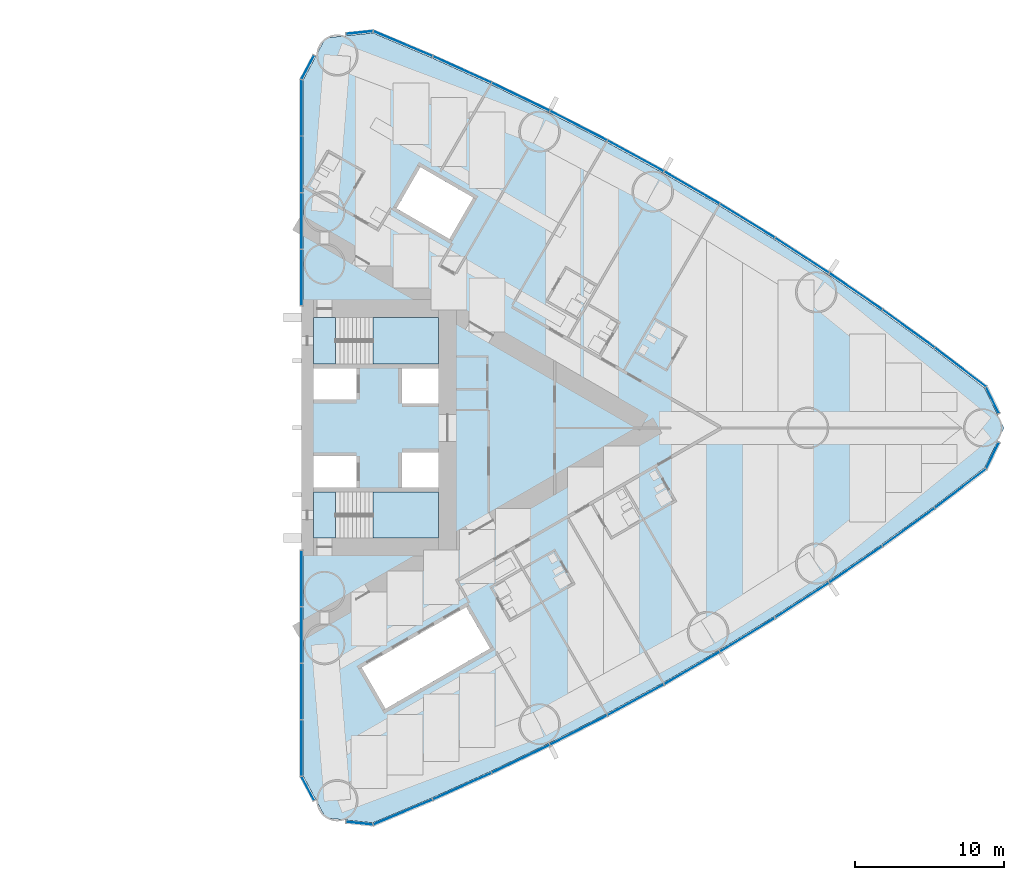
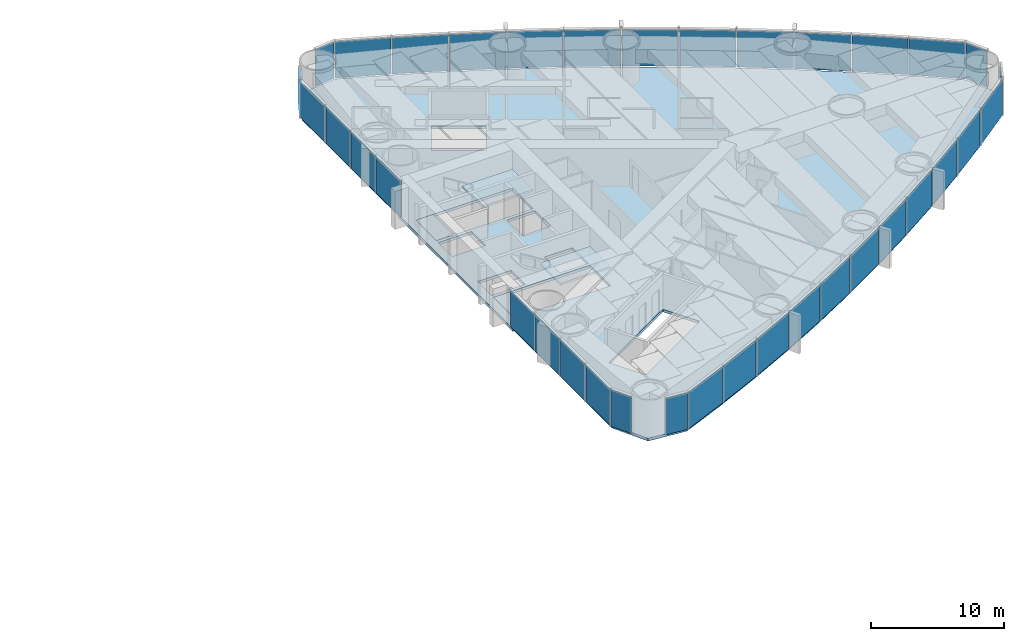
# One storey, part 10 of 19: 36 plates, 5 slabs, 6 elements without a shape of their own.
"""IFC4 building model written with IfcOpenShell, lengths in metres."""

from ifc_helpers import new_model, si_unit, direction, frame, origin, origin_2d, place, context, subcontext, project, spatial, polyline, rectangle, outline, extrude, material, layer, layer_set, type_object, element, aggregate, save


model = new_model("IFC4")

# Units and contexts
model_context = context("Model", 3, precision=1e-05, world=origin(), true_north=direction((0.0, 1.0)))
body_context = subcontext(model_context, "Body", "Model", "MODEL_VIEW")
ifc_project = project(units=[si_unit("LENGTHUNIT", "METRE"), si_unit("AREAUNIT", "SQUARE_METRE"), si_unit("VOLUMEUNIT", "CUBIC_METRE"), si_unit("PLANEANGLEUNIT", "RADIAN"), si_unit("MASSUNIT", "GRAM", prefix="KILO")], contexts=[model_context])

# Site, building, storey
site_placement = place(None, origin())
site = spatial("IfcSite", under=ifc_project, at=site_placement, CompositionType="ELEMENT")
building_placement = place(site_placement, origin())
building = spatial("IfcBuilding", under=site, at=building_placement, Name="Lancet Gate Hotel", CompositionType="ELEMENT")
storey_placement = place(building_placement, frame((0.0, 0.0, 32.0)))
storey = spatial("IfcBuildingStorey", under=building, at=storey_placement, Name="L07", CompositionType="ELEMENT", Elevation=32.0)

# Slab
ifc_material_1 = material(Name="Concrete C50/60", Category="concrete")
ifc_layer_1 = layer(ifc_material_1, 0.25)
ifc_layer_set_1 = layer_set([ifc_layer_1], Name="Floor slab 250")
slab_type_1 = type_object("IfcSlabType", Name="Floor slab 250", PredefinedType="FLOOR", material=ifc_layer_set_1)
slab_1_placement = place(storey_placement, frame((0.0, 0.0, -0.25)))
element("IfcSlab", 1, at=slab_1_placement, inside=storey, type_object=slab_type_1, Name="T2 L07 floor slab", PredefinedType="FLOOR", context=body_context, shape_type="SweptSolid", body=[
    extrude(outline(polyline([(27.5, -8.60009765625), (27.6201171875, -8.60009765625), (27.6201171875, -23.35498046875), (29.12158203125, -26.175537109375), (32.299072265625, -26.5048828125), (36.26708984375, -24.833740234375), (40.2177734375, -23.050048828125), (44.121826171875, -21.16650390625), (47.9765625, -19.18408203125), (51.77978515625, -17.104248046875), (55.528564453125, -14.92822265625), (59.220947265625, -12.657470703125), (62.854248046875, -10.29345703125), (66.42626953125, -7.837890625), (69.934814453125, -5.292236328125), (73.355712890625, -2.67431640625), (74.65576171875, 0.0), (73.355712890625, 2.67431640625), (69.934814453125, 5.292236328125), (66.42626953125, 7.837890625), (62.854248046875, 10.29345703125), (59.220947265625, 12.657470703125), (55.528564453125, 14.92822265625), (51.77978515625, 17.104248046875), (47.9765625, 19.18408203125), (44.121826171875, 21.16650390625), (40.2177734375, 23.050048828125), (36.26708984375, 24.833740234375), (32.299072265625, 26.5048828125), (29.12158203125, 26.175537109375), (27.6201171875, 23.35498046875), (27.6201171875, 8.60009765625), (27.5, 8.60009765625), (27.5, 8.199951171875), (27.5, -8.199951171875), (27.5, -8.60009765625)]), holes=[polyline([(36.699951171875, -7.39990234375), (36.699951171875, -4.300048828125), (28.300048828125, -4.300048828125), (28.300048828125, -7.39990234375), (36.699951171875, -7.39990234375)]), polyline([(28.300048828125, -4.0), (31.199951171875, -4.0), (31.199951171875, -1.89990234375), (28.300048828125, -1.89990234375), (28.300048828125, -4.0)]), polyline([(34.25, -4.0), (36.699951171875, -4.0), (36.699951171875, -1.64990234375), (34.25, -1.64990234375), (34.25, -4.0)]), polyline([(36.699951171875, 1.64990234375), (36.699951171875, 4.0), (34.25, 4.0), (34.25, 1.64990234375), (36.699951171875, 1.64990234375)]), polyline([(28.300048828125, 1.89990234375), (31.199951171875, 1.89990234375), (31.199951171875, 4.0), (28.300048828125, 4.0), (28.300048828125, 1.89990234375)]), polyline([(28.300048828125, 4.300048828125), (36.699951171875, 4.300048828125), (36.699951171875, 7.39990234375), (28.300048828125, 7.39990234375), (28.300048828125, 4.300048828125)]), polyline([(31.549072265625, -16.0810546875), (33.14892578125, -18.85205078125), (40.1640625, -14.802001953125), (38.56396484375, -12.031005859375), (31.549072265625, -16.0810546875)]), polyline([(33.887939453125, 14.73095703125), (37.43798828125, 12.680908203125), (39.0380859375, 15.451904296875), (35.488037109375, 17.501953125), (33.887939453125, 14.73095703125)])]), origin(), (0.0, 0.0, 1.0), 0.25),
])

# Stair, slabs
ifc_material_2 = material(Name="Exit stair 20 risers 1500")
stair_type = type_object("IfcStairType", Name="Exit stair 20 risers 1500", PredefinedType="HALF_TURN_STAIR", material=ifc_material_2)
stair_1_placement = place(storey_placement, origin())
stair_1 = element("IfcStair", 2, at=stair_1_placement, inside=storey, type_object=stair_type, Name="T2 stair 1 L07", PredefinedType="HALF_TURN_STAIR")
ifc_material_3 = material(Name="Concrete C40/50", Category="concrete")
ifc_layer_2 = layer(ifc_material_3, 0.199951171875)
ifc_layer_set_2 = layer_set([ifc_layer_2], Name="Stair landing 200")
slab_type_2 = type_object("IfcSlabType", Name="Stair landing 200", PredefinedType="LANDING", material=ifc_layer_set_2)
slab_2_placement = place(storey_placement, frame((0.0, 0.0, -0.199951171875)))
slab_2 = element("IfcSlab", 3, at=slab_2_placement, type_object=slab_type_2, Name="ST3 landing 1", PredefinedType="LANDING", context=body_context, shape_type="SweptSolid", body=[
    extrude(outline(polyline([(28.300048828125, -7.39990234375), (29.800048828125, -7.39990234375), (29.800048828125, -4.300048828125), (28.300048828125, -4.300048828125), (28.300048828125, -7.39990234375)])), origin(), (0.0, 0.0, 1.0), 0.199951171875),
])
slab_3_placement = place(storey_placement, frame((0.0, 0.0, 1.550048828125)))
slab_3 = element("IfcSlab", 4, at=slab_3_placement, type_object=slab_type_2, Name="ST3 landing 2", PredefinedType="LANDING", context=body_context, shape_type="SweptSolid", body=[
    extrude(outline(polyline([(32.320068359375, -7.39990234375), (36.699951171875, -7.39990234375), (36.699951171875, -4.300048828125), (32.320068359375, -4.300048828125), (32.320068359375, -7.39990234375)])), origin(), (0.0, 0.0, 1.0), 0.199951171875),
])
aggregate(stair_1, [slab_2, slab_3])

stair_2_placement = place(storey_placement, origin())
stair_2 = element("IfcStair", 5, at=stair_2_placement, inside=storey, type_object=stair_type, Name="T2 stair 2 L07", PredefinedType="HALF_TURN_STAIR")
slab_4_placement = place(storey_placement, frame((0.0, 0.0, -0.199951171875)))
slab_4 = element("IfcSlab", 6, at=slab_4_placement, type_object=slab_type_2, Name="ST4 landing 1", PredefinedType="LANDING", context=body_context, shape_type="SweptSolid", body=[
    extrude(outline(polyline([(28.300048828125, 4.300048828125), (29.800048828125, 4.300048828125), (29.800048828125, 7.39990234375), (28.300048828125, 7.39990234375), (28.300048828125, 4.300048828125)])), origin(), (0.0, 0.0, 1.0), 0.199951171875),
])
slab_5_placement = place(storey_placement, frame((0.0, 0.0, 1.550048828125)))
slab_5 = element("IfcSlab", 7, at=slab_5_placement, type_object=slab_type_2, Name="ST4 landing 2", PredefinedType="LANDING", context=body_context, shape_type="SweptSolid", body=[
    extrude(outline(polyline([(32.320068359375, 4.300048828125), (36.699951171875, 4.300048828125), (36.699951171875, 7.39990234375), (32.320068359375, 7.39990234375), (32.320068359375, 4.300048828125)])), origin(), (0.0, 0.0, 1.0), 0.199951171875),
])
aggregate(stair_2, [slab_4, slab_5])

# Curtain wall, plates
ifc_material_4 = material(Name="Aluminium curtain wall", Category="aluminium")
curtain_wall_type = type_object("IfcCurtainWallType", Name="Tower unitised curtain wall", PredefinedType="USERDEFINED", material=ifc_material_4)
curtain_wall_1_placement = place(storey_placement, origin())
curtain_wall_1 = element("IfcCurtainWall", 8, at=curtain_wall_1_placement, inside=storey, type_object=curtain_wall_type, Name="T2 L07 curtain wall 1", ObjectType="UNITISED CURTAIN WALL", PredefinedType="USERDEFINED")
ifc_material_5 = material(Name="Glass double glazed unit 8-16-6", Category="glass")
ifc_layer_3 = layer(ifc_material_5, 0.030029296875)
ifc_layer_set_3 = layer_set([ifc_layer_3], Name="Vision panel double glazed")
plate_type = type_object("IfcPlateType", Name="Vision panel double glazed", PredefinedType="CURTAIN_PANEL", material=ifc_layer_set_3)
plate_1_placement = place(storey_placement, frame((27.5, -10.09814453125, 0.0), z_axis=(0.0, 0.0, 1.0), x_axis=(0.0, -1.0, 0.0)))
plate_1 = element("IfcPlate", 9, at=plate_1_placement, type_object=plate_type, Name="T2 L07 curtain wall 1 panel 1", PredefinedType="CURTAIN_PANEL", context=body_context, shape_type="SweptSolid", body=[
    extrude(rectangle(XDim=3.731201171875, YDim=0.030029296875, at=origin_2d()), origin(), (0.0, 0.0, 1.0), 3.35009765625),
])
plate_2_placement = place(storey_placement, frame((27.5, -13.894287109375, 0.0), z_axis=(0.0, 0.0, 1.0), x_axis=(0.0, -1.0, 0.0)))
plate_2 = element("IfcPlate", 10, at=plate_2_placement, type_object=plate_type, Name="T2 L07 curtain wall 1 panel 2", PredefinedType="CURTAIN_PANEL", context=body_context, shape_type="SweptSolid", body=[
    extrude(rectangle(XDim=3.731201171875, YDim=0.030029296875, at=origin_2d()), origin(), (0.0, 0.0, 1.0), 3.35009765625),
])
plate_3_placement = place(storey_placement, frame((27.5, -17.6904296875, 0.0), z_axis=(0.0, 0.0, 1.0), x_axis=(0.0, -1.0, 0.0)))
plate_3 = element("IfcPlate", 11, at=plate_3_placement, type_object=plate_type, Name="T2 L07 curtain wall 1 panel 3", PredefinedType="CURTAIN_PANEL", context=body_context, shape_type="SweptSolid", body=[
    extrude(rectangle(XDim=3.731201171875, YDim=0.030029296875, at=origin_2d()), origin(), (0.0, 0.0, 1.0), 3.35009765625),
])
plate_4_placement = place(storey_placement, frame((27.5, -21.48681640625, 0.0), z_axis=(0.0, 0.0, 1.0), x_axis=(0.0, -1.0, 0.0)))
plate_4 = element("IfcPlate", 12, at=plate_4_placement, type_object=plate_type, Name="T2 L07 curtain wall 1 panel 4", PredefinedType="CURTAIN_PANEL", context=body_context, shape_type="SweptSolid", body=[
    extrude(rectangle(XDim=3.731201171875, YDim=0.030029296875, at=origin_2d()), origin(), (0.0, 0.0, 1.0), 3.35009765625),
])
plate_5_placement = place(storey_placement, frame((27.933349609375, -24.19873046875, 0.0), z_axis=(0.0, 0.0, 1.0), x_axis=(0.469897827284, -0.882720811987, 0.0)))
plate_5 = element("IfcPlate", 13, at=plate_5_placement, type_object=plate_type, Name="T2 L07 curtain wall 1 panel 5", PredefinedType="CURTAIN_PANEL", context=body_context, shape_type="SweptSolid", body=[
    extrude(rectangle(XDim=1.779052734375, YDim=0.030029296875, at=origin_2d()), origin(), (0.0, 0.0, 1.0), 3.35009765625),
])
aggregate(curtain_wall_1, [plate_1, plate_2, plate_3, plate_4, plate_5])

curtain_wall_2_placement = place(storey_placement, origin())
curtain_wall_2 = element("IfcCurtainWall", 14, at=curtain_wall_2_placement, inside=storey, type_object=curtain_wall_type, Name="T2 L07 curtain wall 2", ObjectType="UNITISED CURTAIN WALL", PredefinedType="USERDEFINED")
plate_6_placement = place(storey_placement, frame((31.400634765625, -26.532470703125, 0.0), z_axis=(0.0, 0.0, 1.0), x_axis=(0.994672262412, -0.10308778001, 0.0)))
plate_6 = element("IfcPlate", 15, at=plate_6_placement, type_object=plate_type, Name="T2 L07 curtain wall 2 panel 1", PredefinedType="CURTAIN_PANEL", context=body_context, shape_type="SweptSolid", body=[
    extrude(rectangle(XDim=1.7783203125, YDim=0.030029296875, at=origin_2d()), origin(), (0.0, 0.0, 1.0), 3.35009765625),
])
plate_7_placement = place(storey_placement, frame((34.316162109375, -25.78564453125, 0.0), z_axis=(0.0, 0.0, 1.0), x_axis=(0.92159330598, 0.38815689917, 0.0)))
plate_7 = element("IfcPlate", 16, at=plate_7_placement, type_object=plate_type, Name="T2 L07 curtain wall 2 panel 2", PredefinedType="CURTAIN_PANEL", context=body_context, shape_type="SweptSolid", body=[
    extrude(rectangle(XDim=4.272705078125, YDim=0.030029296875, at=origin_2d()), origin(), (0.0, 0.0, 1.0), 3.35009765625),
])
plate_8_placement = place(storey_placement, frame((38.291748046875, -24.05126953125, 0.0), z_axis=(0.0, 0.0, 1.0), x_axis=(0.911415640556, 0.41148697446, 0.0)))
plate_8 = element("IfcPlate", 17, at=plate_8_placement, type_object=plate_type, Name="T2 L07 curtain wall 2 panel 3", PredefinedType="CURTAIN_PANEL", context=body_context, shape_type="SweptSolid", body=[
    extrude(rectangle(XDim=4.272705078125, YDim=0.030029296875, at=origin_2d()), origin(), (0.0, 0.0, 1.0), 3.35009765625),
])
plate_9_placement = place(storey_placement, frame((42.221923828125, -22.21630859375, 0.0), z_axis=(0.0, 0.0, 1.0), x_axis=(0.90064748964, 0.434550456686, 0.0)))
plate_9 = element("IfcPlate", 18, at=plate_9_placement, type_object=plate_type, Name="T2 L07 curtain wall 2 panel 4", PredefinedType="CURTAIN_PANEL", context=body_context, shape_type="SweptSolid", body=[
    extrude(rectangle(XDim=4.272705078125, YDim=0.030029296875, at=origin_2d()), origin(), (0.0, 0.0, 1.0), 3.35009765625),
])
plate_10_placement = place(storey_placement, frame((46.10400390625, -20.281982421875, 0.0), z_axis=(0.0, 0.0, 1.0), x_axis=(0.889295829671, 0.457332403541, 0.0)))
plate_10 = element("IfcPlate", 19, at=plate_10_placement, type_object=plate_type, Name="T2 L07 curtain wall 2 panel 5", PredefinedType="CURTAIN_PANEL", context=body_context, shape_type="SweptSolid", body=[
    extrude(rectangle(XDim=4.272705078125, YDim=0.030029296875, at=origin_2d()), origin(), (0.0, 0.0, 1.0), 3.35009765625),
])
plate_11_placement = place(storey_placement, frame((49.935791015625, -18.249267578125, 0.0), z_axis=(0.0, 0.0, 1.0), x_axis=(0.877368015134, 0.47981805512, 0.0)))
plate_11 = element("IfcPlate", 20, at=plate_11_placement, type_object=plate_type, Name="T2 L07 curtain wall 2 panel 6", PredefinedType="CURTAIN_PANEL", context=body_context, shape_type="SweptSolid", body=[
    extrude(rectangle(XDim=4.272705078125, YDim=0.030029296875, at=origin_2d()), origin(), (0.0, 0.0, 1.0), 3.35009765625),
])
plate_12_placement = place(storey_placement, frame((53.71435546875, -16.119873046875, 0.0), z_axis=(0.0, 0.0, 1.0), x_axis=(0.864871773788, 0.501992843479, 0.0)))
plate_12 = element("IfcPlate", 21, at=plate_12_placement, type_object=plate_type, Name="T2 L07 curtain wall 2 panel 7", PredefinedType="CURTAIN_PANEL", context=body_context, shape_type="SweptSolid", body=[
    extrude(rectangle(XDim=4.272705078125, YDim=0.030029296875, at=origin_2d()), origin(), (0.0, 0.0, 1.0), 3.35009765625),
])
plate_13_placement = place(storey_placement, frame((57.437744140625, -13.89501953125, 0.0), z_axis=(0.0, 0.0, 1.0), x_axis=(0.851815201664, 0.523842402077, 0.0)))
plate_13 = element("IfcPlate", 22, at=plate_13_placement, type_object=plate_type, Name="T2 L07 curtain wall 2 panel 8", PredefinedType="CURTAIN_PANEL", context=body_context, shape_type="SweptSolid", body=[
    extrude(rectangle(XDim=4.272705078125, YDim=0.030029296875, at=origin_2d()), origin(), (0.0, 0.0, 1.0), 3.35009765625),
])
plate_14_placement = place(storey_placement, frame((61.10302734375, -11.576171875, 0.0), z_axis=(0.0, 0.0, 1.0), x_axis=(0.838206757819, 0.54535257508, 0.0)))
plate_14 = element("IfcPlate", 23, at=plate_14_placement, type_object=plate_type, Name="T2 L07 curtain wall 2 panel 9", PredefinedType="CURTAIN_PANEL", context=body_context, shape_type="SweptSolid", body=[
    extrude(rectangle(XDim=4.272705078125, YDim=0.030029296875, at=origin_2d()), origin(), (0.0, 0.0, 1.0), 3.35009765625),
])
plate_15_placement = place(storey_placement, frame((64.708251953125, -9.16455078125, 0.0), z_axis=(0.0, 0.0, 1.0), x_axis=(0.824055258853, 0.566509426538, 0.0)))
plate_15 = element("IfcPlate", 24, at=plate_15_placement, type_object=plate_type, Name="T2 L07 curtain wall 2 panel 10", PredefinedType="CURTAIN_PANEL", context=body_context, shape_type="SweptSolid", body=[
    extrude(rectangle(XDim=4.272705078125, YDim=0.030029296875, at=origin_2d()), origin(), (0.0, 0.0, 1.0), 3.35009765625),
])
plate_16_placement = place(storey_placement, frame((68.2509765625, -6.662109375, 0.0), z_axis=(0.0, 0.0, 1.0), x_axis=(0.809369873203, 0.587299249405, 0.0)))
plate_16 = element("IfcPlate", 25, at=plate_16_placement, type_object=plate_type, Name="T2 L07 curtain wall 2 panel 11", PredefinedType="CURTAIN_PANEL", context=body_context, shape_type="SweptSolid", body=[
    extrude(rectangle(XDim=4.272705078125, YDim=0.030029296875, at=origin_2d()), origin(), (0.0, 0.0, 1.0), 3.35009765625),
])
plate_17_placement = place(storey_placement, frame((71.72900390625, -4.0703125, 0.0), z_axis=(0.0, 0.0, 1.0), x_axis=(0.794160115195, 0.607708574428, 0.0)))
plate_17 = element("IfcPlate", 26, at=plate_17_placement, type_object=plate_type, Name="T2 L07 curtain wall 2 panel 12", PredefinedType="CURTAIN_PANEL", context=body_context, shape_type="SweptSolid", body=[
    extrude(rectangle(XDim=4.272705078125, YDim=0.030029296875, at=origin_2d()), origin(), (0.0, 0.0, 1.0), 3.35009765625),
])
plate_18_placement = place(storey_placement, frame((73.88671875, -1.856201171875, 0.0), z_axis=(0.0, 0.0, 1.0), x_axis=(0.437169070119, 0.899379343843, 0.0)))
plate_18 = element("IfcPlate", 27, at=plate_18_placement, type_object=plate_type, Name="T2 L07 curtain wall 2 panel 13", PredefinedType="CURTAIN_PANEL", context=body_context, shape_type="SweptSolid", body=[
    extrude(rectangle(XDim=1.92724609375, YDim=0.030029296875, at=origin_2d()), origin(), (0.0, 0.0, 1.0), 3.35009765625),
])
aggregate(curtain_wall_2, [plate_6, plate_7, plate_8, plate_9, plate_10, plate_11, plate_12, plate_13, plate_14, plate_15, plate_16, plate_17, plate_18])

curtain_wall_3_placement = place(storey_placement, origin())
curtain_wall_3 = element("IfcCurtainWall", 28, at=curtain_wall_3_placement, inside=storey, type_object=curtain_wall_type, Name="T2 L07 curtain wall 3", ObjectType="UNITISED CURTAIN WALL", PredefinedType="USERDEFINED")
plate_19_placement = place(storey_placement, frame((73.88671875, 1.856201171875, 0.0), z_axis=(0.0, 0.0, 1.0), x_axis=(-0.437169070119, 0.899379343843, 0.0)))
plate_19 = element("IfcPlate", 29, at=plate_19_placement, type_object=plate_type, Name="T2 L07 curtain wall 3 panel 1", PredefinedType="CURTAIN_PANEL", context=body_context, shape_type="SweptSolid", body=[
    extrude(rectangle(XDim=1.92724609375, YDim=0.030029296875, at=origin_2d()), origin(), (0.0, 0.0, 1.0), 3.35009765625),
])
plate_20_placement = place(storey_placement, frame((71.72900390625, 4.0703125, 0.0), z_axis=(0.0, 0.0, 1.0), x_axis=(-0.794160115195, 0.607708574428, 0.0)))
plate_20 = element("IfcPlate", 30, at=plate_20_placement, type_object=plate_type, Name="T2 L07 curtain wall 3 panel 2", PredefinedType="CURTAIN_PANEL", context=body_context, shape_type="SweptSolid", body=[
    extrude(rectangle(XDim=4.272705078125, YDim=0.030029296875, at=origin_2d()), origin(), (0.0, 0.0, 1.0), 3.35009765625),
])
plate_21_placement = place(storey_placement, frame((68.2509765625, 6.662109375, 0.0), z_axis=(0.0, 0.0, 1.0), x_axis=(-0.809369873203, 0.587299249405, 0.0)))
plate_21 = element("IfcPlate", 31, at=plate_21_placement, type_object=plate_type, Name="T2 L07 curtain wall 3 panel 3", PredefinedType="CURTAIN_PANEL", context=body_context, shape_type="SweptSolid", body=[
    extrude(rectangle(XDim=4.272705078125, YDim=0.030029296875, at=origin_2d()), origin(), (0.0, 0.0, 1.0), 3.35009765625),
])
plate_22_placement = place(storey_placement, frame((64.708251953125, 9.16455078125, 0.0), z_axis=(0.0, 0.0, 1.0), x_axis=(-0.824055258853, 0.566509426538, 0.0)))
plate_22 = element("IfcPlate", 32, at=plate_22_placement, type_object=plate_type, Name="T2 L07 curtain wall 3 panel 4", PredefinedType="CURTAIN_PANEL", context=body_context, shape_type="SweptSolid", body=[
    extrude(rectangle(XDim=4.272705078125, YDim=0.030029296875, at=origin_2d()), origin(), (0.0, 0.0, 1.0), 3.35009765625),
])
plate_23_placement = place(storey_placement, frame((61.10302734375, 11.576171875, 0.0), z_axis=(0.0, 0.0, 1.0), x_axis=(-0.838206757819, 0.54535257508, 0.0)))
plate_23 = element("IfcPlate", 33, at=plate_23_placement, type_object=plate_type, Name="T2 L07 curtain wall 3 panel 5", PredefinedType="CURTAIN_PANEL", context=body_context, shape_type="SweptSolid", body=[
    extrude(rectangle(XDim=4.272705078125, YDim=0.030029296875, at=origin_2d()), origin(), (0.0, 0.0, 1.0), 3.35009765625),
])
plate_24_placement = place(storey_placement, frame((57.437744140625, 13.89501953125, 0.0), z_axis=(0.0, 0.0, 1.0), x_axis=(-0.851815201664, 0.523842402077, 0.0)))
plate_24 = element("IfcPlate", 34, at=plate_24_placement, type_object=plate_type, Name="T2 L07 curtain wall 3 panel 6", PredefinedType="CURTAIN_PANEL", context=body_context, shape_type="SweptSolid", body=[
    extrude(rectangle(XDim=4.272705078125, YDim=0.030029296875, at=origin_2d()), origin(), (0.0, 0.0, 1.0), 3.35009765625),
])
plate_25_placement = place(storey_placement, frame((53.71435546875, 16.119873046875, 0.0), z_axis=(0.0, 0.0, 1.0), x_axis=(-0.864871773788, 0.501992843479, 0.0)))
plate_25 = element("IfcPlate", 35, at=plate_25_placement, type_object=plate_type, Name="T2 L07 curtain wall 3 panel 7", PredefinedType="CURTAIN_PANEL", context=body_context, shape_type="SweptSolid", body=[
    extrude(rectangle(XDim=4.272705078125, YDim=0.030029296875, at=origin_2d()), origin(), (0.0, 0.0, 1.0), 3.35009765625),
])
plate_26_placement = place(storey_placement, frame((49.935791015625, 18.249267578125, 0.0), z_axis=(0.0, 0.0, 1.0), x_axis=(-0.877368015134, 0.47981805512, 0.0)))
plate_26 = element("IfcPlate", 36, at=plate_26_placement, type_object=plate_type, Name="T2 L07 curtain wall 3 panel 8", PredefinedType="CURTAIN_PANEL", context=body_context, shape_type="SweptSolid", body=[
    extrude(rectangle(XDim=4.272705078125, YDim=0.030029296875, at=origin_2d()), origin(), (0.0, 0.0, 1.0), 3.35009765625),
])
plate_27_placement = place(storey_placement, frame((46.10400390625, 20.281982421875, 0.0), z_axis=(0.0, 0.0, 1.0), x_axis=(-0.889295829671, 0.457332403541, 0.0)))
plate_27 = element("IfcPlate", 37, at=plate_27_placement, type_object=plate_type, Name="T2 L07 curtain wall 3 panel 9", PredefinedType="CURTAIN_PANEL", context=body_context, shape_type="SweptSolid", body=[
    extrude(rectangle(XDim=4.272705078125, YDim=0.030029296875, at=origin_2d()), origin(), (0.0, 0.0, 1.0), 3.35009765625),
])
plate_28_placement = place(storey_placement, frame((42.221923828125, 22.21630859375, 0.0), z_axis=(0.0, 0.0, 1.0), x_axis=(-0.90064748964, 0.434550456686, 0.0)))
plate_28 = element("IfcPlate", 38, at=plate_28_placement, type_object=plate_type, Name="T2 L07 curtain wall 3 panel 10", PredefinedType="CURTAIN_PANEL", context=body_context, shape_type="SweptSolid", body=[
    extrude(rectangle(XDim=4.272705078125, YDim=0.030029296875, at=origin_2d()), origin(), (0.0, 0.0, 1.0), 3.35009765625),
])
plate_29_placement = place(storey_placement, frame((38.291748046875, 24.05126953125, 0.0), z_axis=(0.0, 0.0, 1.0), x_axis=(-0.911415640556, 0.41148697446, 0.0)))
plate_29 = element("IfcPlate", 39, at=plate_29_placement, type_object=plate_type, Name="T2 L07 curtain wall 3 panel 11", PredefinedType="CURTAIN_PANEL", context=body_context, shape_type="SweptSolid", body=[
    extrude(rectangle(XDim=4.272705078125, YDim=0.030029296875, at=origin_2d()), origin(), (0.0, 0.0, 1.0), 3.35009765625),
])
plate_30_placement = place(storey_placement, frame((34.316162109375, 25.78564453125, 0.0), z_axis=(0.0, 0.0, 1.0), x_axis=(-0.92159330598, 0.38815689917, 0.0)))
plate_30 = element("IfcPlate", 40, at=plate_30_placement, type_object=plate_type, Name="T2 L07 curtain wall 3 panel 12", PredefinedType="CURTAIN_PANEL", context=body_context, shape_type="SweptSolid", body=[
    extrude(rectangle(XDim=4.272705078125, YDim=0.030029296875, at=origin_2d()), origin(), (0.0, 0.0, 1.0), 3.35009765625),
])
plate_31_placement = place(storey_placement, frame((31.400634765625, 26.532470703125, 0.0), z_axis=(0.0, 0.0, 1.0), x_axis=(-0.994672262412, -0.10308778001, 0.0)))
plate_31 = element("IfcPlate", 41, at=plate_31_placement, type_object=plate_type, Name="T2 L07 curtain wall 3 panel 13", PredefinedType="CURTAIN_PANEL", context=body_context, shape_type="SweptSolid", body=[
    extrude(rectangle(XDim=1.7783203125, YDim=0.030029296875, at=origin_2d()), origin(), (0.0, 0.0, 1.0), 3.35009765625),
])
aggregate(curtain_wall_3, [plate_19, plate_20, plate_21, plate_22, plate_23, plate_24, plate_25, plate_26, plate_27, plate_28, plate_29, plate_30, plate_31])

curtain_wall_4_placement = place(storey_placement, origin())
curtain_wall_4 = element("IfcCurtainWall", 42, at=curtain_wall_4_placement, inside=storey, type_object=curtain_wall_type, Name="T2 L07 curtain wall 4", ObjectType="UNITISED CURTAIN WALL", PredefinedType="USERDEFINED")
plate_32_placement = place(storey_placement, frame((27.933349609375, 24.19873046875, 0.0), z_axis=(0.0, 0.0, 1.0), x_axis=(-0.469897827284, -0.882720811987, 0.0)))
plate_32 = element("IfcPlate", 43, at=plate_32_placement, type_object=plate_type, Name="T2 L07 curtain wall 4 panel 1", PredefinedType="CURTAIN_PANEL", context=body_context, shape_type="SweptSolid", body=[
    extrude(rectangle(XDim=1.779052734375, YDim=0.030029296875, at=origin_2d()), origin(), (0.0, 0.0, 1.0), 3.35009765625),
])
plate_33_placement = place(storey_placement, frame((27.5, 21.48681640625, 0.0), z_axis=(0.0, 0.0, 1.0), x_axis=(0.0, -1.0, 0.0)))
plate_33 = element("IfcPlate", 44, at=plate_33_placement, type_object=plate_type, Name="T2 L07 curtain wall 4 panel 2", PredefinedType="CURTAIN_PANEL", context=body_context, shape_type="SweptSolid", body=[
    extrude(rectangle(XDim=3.731201171875, YDim=0.030029296875, at=origin_2d()), origin(), (0.0, 0.0, 1.0), 3.35009765625),
])
plate_34_placement = place(storey_placement, frame((27.5, 17.6904296875, 0.0), z_axis=(0.0, 0.0, 1.0), x_axis=(0.0, -1.0, 0.0)))
plate_34 = element("IfcPlate", 45, at=plate_34_placement, type_object=plate_type, Name="T2 L07 curtain wall 4 panel 3", PredefinedType="CURTAIN_PANEL", context=body_context, shape_type="SweptSolid", body=[
    extrude(rectangle(XDim=3.731201171875, YDim=0.030029296875, at=origin_2d()), origin(), (0.0, 0.0, 1.0), 3.35009765625),
])
plate_35_placement = place(storey_placement, frame((27.5, 13.894287109375, 0.0), z_axis=(0.0, 0.0, 1.0), x_axis=(0.0, -1.0, 0.0)))
plate_35 = element("IfcPlate", 46, at=plate_35_placement, type_object=plate_type, Name="T2 L07 curtain wall 4 panel 4", PredefinedType="CURTAIN_PANEL", context=body_context, shape_type="SweptSolid", body=[
    extrude(rectangle(XDim=3.731201171875, YDim=0.030029296875, at=origin_2d()), origin(), (0.0, 0.0, 1.0), 3.35009765625),
])
plate_36_placement = place(storey_placement, frame((27.5, 10.09814453125, 0.0), z_axis=(0.0, 0.0, 1.0), x_axis=(0.0, -1.0, 0.0)))
plate_36 = element("IfcPlate", 47, at=plate_36_placement, type_object=plate_type, Name="T2 L07 curtain wall 4 panel 5", PredefinedType="CURTAIN_PANEL", context=body_context, shape_type="SweptSolid", body=[
    extrude(rectangle(XDim=3.731201171875, YDim=0.030029296875, at=origin_2d()), origin(), (0.0, 0.0, 1.0), 3.35009765625),
])
aggregate(curtain_wall_4, [plate_32, plate_33, plate_34, plate_35, plate_36])

save(model, "model.ifc")
